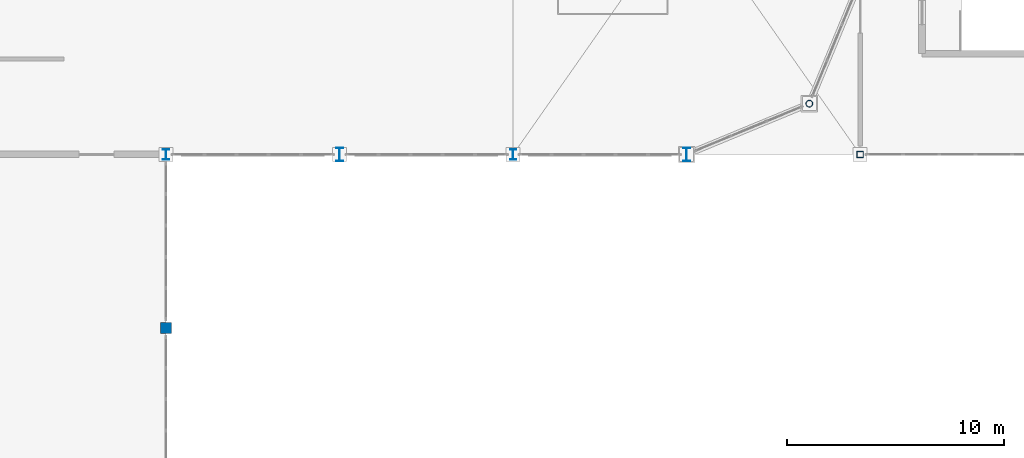
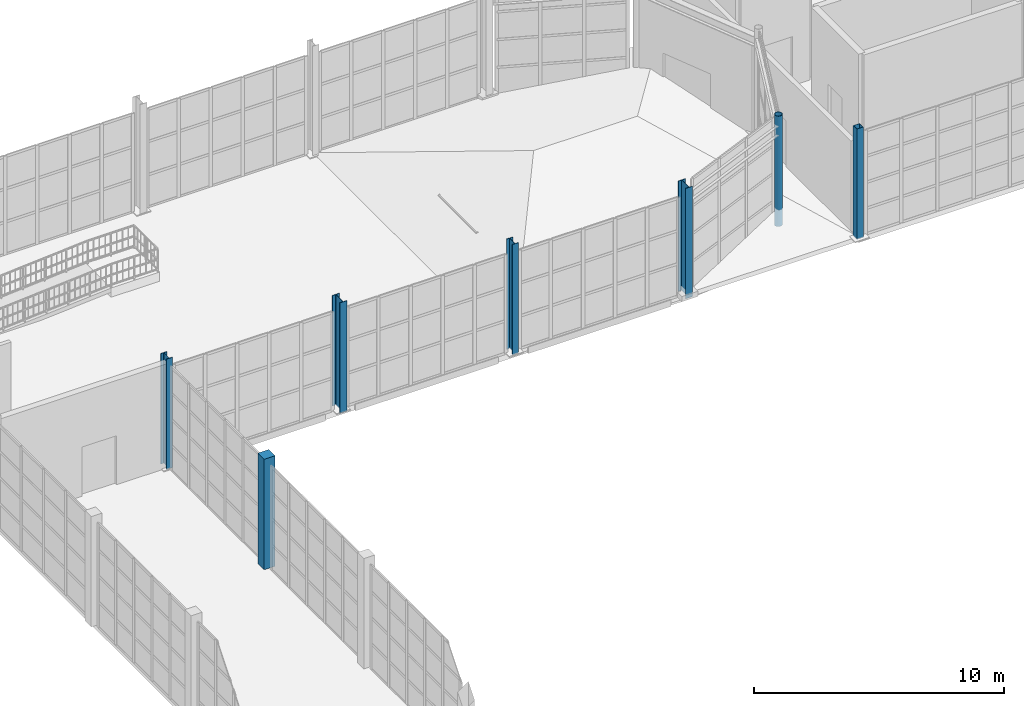
# One storey, part 10 of 82: 7 columns.
"""IFC4 building model written with IfcOpenShell, lengths in metres."""

from ifc_helpers import new_model, si_unit, direction, frame, origin, origin_2d, place, context, subcontext, project, spatial, rectangle, hollow_rectangle, hollow_circle, i_section, extrude, material, material_profile, profile_set, type_object, element, save


model = new_model("IFC4")

# Units and contexts
model_context = context("Model", 3, precision=1e-05, world=origin(), true_north=direction((0.0, 1.0)))
body_context = subcontext(model_context, "Body", "Model", "MODEL_VIEW")
ifc_project = project(units=[si_unit("LENGTHUNIT", "METRE"), si_unit("AREAUNIT", "SQUARE_METRE"), si_unit("VOLUMEUNIT", "CUBIC_METRE"), si_unit("PLANEANGLEUNIT", "RADIAN"), si_unit("MASSUNIT", "GRAM", prefix="KILO")], contexts=[model_context])

# Site, building, storey
site_placement = place(None, origin())
site = spatial("IfcSite", under=ifc_project, at=site_placement, CompositionType="ELEMENT")
building_placement = place(site_placement, origin())
building = spatial("IfcBuilding", under=site, at=building_placement, Name="Serraluz Foothill Cableway Terminal", CompositionType="ELEMENT")
storey_placement = place(building_placement, frame((0.0, 0.0, 9.60009765625)))
storey = spatial("IfcBuildingStorey", under=building, at=storey_placement, Name="L02", CompositionType="ELEMENT", Elevation=9.60009765625)

# Columns
ifc_material_1 = material(Name="Steel ASTM A572 Grade 50", Category="steel")
ifc_material_profile_1 = material_profile(ifc_material_1, hollow_circle(Radius=0.161865234375, WallThickness=0.01611328125, at=origin_2d()), Name="CHS324X16")
ifc_profile_set_1 = profile_set([ifc_material_profile_1], Name="Steel ASTM A572 Grade 50")
column_type_1 = type_object("IfcColumnType", Name="TYP-COL-CHS324", PredefinedType="COLUMN", material=ifc_profile_set_1)
column_1_placement = place(storey_placement, frame((157.656982421875, 58.343017578125, 0.0), z_axis=(0.0, 0.0, 1.0), x_axis=(1.0, 0.0, 0.0)))
element("IfcColumn", 1, at=column_1_placement, inside=storey, type_object=column_type_1, Name="Column COL-V1-ARC-E1-L02", PredefinedType="COLUMN", context=body_context, shape_type="SweptSolid", body=[
    extrude(hollow_circle(Radius=0.161865234375, WallThickness=0.01611328125, at=origin_2d()), origin(), (0.0, 0.0, 1.0), 5.39990234375),
])
ifc_material_profile_2 = material_profile(ifc_material_1, hollow_rectangle(XDim=0.300048828125, YDim=0.300048828125, WallThickness=0.01611328125, at=origin_2d()), Name="HSS300X300X16")
ifc_profile_set_2 = profile_set([ifc_material_profile_2], Name="Steel ASTM A572 Grade 50")
column_type_2 = type_object("IfcColumnType", Name="TYP-COL-HSS300", PredefinedType="COLUMN", material=ifc_profile_set_2)
column_2_placement = place(storey_placement, frame((160.0, 56.0, 0.0), z_axis=(0.0, 0.0, 1.0), x_axis=(1.0, 0.0, 0.0)))
element("IfcColumn", 2, at=column_2_placement, inside=storey, type_object=column_type_2, Name="Column COL-V2-160-56-L02", PredefinedType="COLUMN", context=body_context, shape_type="SweptSolid", body=[
    extrude(hollow_rectangle(XDim=0.300048828125, YDim=0.300048828125, WallThickness=0.01611328125, at=origin_2d()), origin(), (0.0, 0.0, 1.0), 5.39990234375),
])
ifc_material_2 = material(Name="Concrete C35/45 (f'c 35 MPa)", Category="concrete")
ifc_material_profile_3 = material_profile(ifc_material_2, rectangle(XDim=0.5, YDim=0.5, at=origin_2d()), Name="RC 500x500")
ifc_profile_set_3 = profile_set([ifc_material_profile_3], Name="Concrete C35/45 (f'c 35 MPa)")
column_type_3 = type_object("IfcColumnType", Name="TYP-COL-RC500", PredefinedType="COLUMN", material=ifc_profile_set_3)
column_3_placement = place(storey_placement, frame((128.0, 48.0, 0.0), z_axis=(0.0, 0.0, 1.0), x_axis=(1.0, 0.0, 0.0)))
element("IfcColumn", 3, at=column_3_placement, inside=storey, type_object=column_type_3, Name="Column COL-V3-CL-128-48-L02", PredefinedType="COLUMN", context=body_context, shape_type="SweptSolid", body=[
    extrude(rectangle(XDim=0.5, YDim=0.5, at=origin_2d()), origin(), (0.0, 0.0, 1.0), 5.39990234375),
])
ifc_material_3 = material(Name="Steel ASTM A992 Grade 50", Category="steel")
ifc_material_profile_4 = material_profile(ifc_material_3, i_section(OverallWidth=0.282958984375, OverallDepth=0.471923828125, WebThickness=0.013671875, FlangeThickness=0.022216796875, FilletRadius=0.014892578125, at=origin_2d()), Name="W18X97")
ifc_profile_set_4 = profile_set([ifc_material_profile_4], Name="Steel ASTM A992 Grade 50")
column_type_4 = type_object("IfcColumnType", Name="TYP-COL-W18X97", PredefinedType="COLUMN", material=ifc_profile_set_4)
for number, where, z_axis, x_axis, name in (
    (4, (128.0, 56.0, 0.0), (0.0, 0.0, 1.0), (1.0, 0.0, 0.0), "Column COL-V1-S-128-L02"),
    (5, (144.0, 56.0, 0.0), (0.0, 0.0, 1.0), (1.0, 0.0, 0.0), "Column COL-V1-S-144-L02"),
):
    element("IfcColumn", number, at=place(storey_placement, frame(where, z_axis=z_axis, x_axis=x_axis)), inside=storey, type_object=column_type_4, Name=name, PredefinedType="COLUMN", context=body_context, shape_type="SweptSolid", body=[
        extrude(i_section(OverallWidth=0.282958984375, OverallDepth=0.471923828125, WebThickness=0.013671875, FlangeThickness=0.022216796875, FilletRadius=0.014892578125, at=origin_2d()), origin(), (0.0, 0.0, 1.0), 5.39990234375),
    ])
ifc_material_profile_5 = material_profile(ifc_material_3, i_section(OverallWidth=0.324951171875, OverallDepth=0.615966796875, WebThickness=0.013916015625, FlangeThickness=0.021484375, FilletRadius=0.01806640625, at=origin_2d()), Name="W24X117")
ifc_profile_set_5 = profile_set([ifc_material_profile_5], Name="Steel ASTM A992 Grade 50")
column_type_5 = type_object("IfcColumnType", Name="TYP-COL-W24X117", PredefinedType="COLUMN", material=ifc_profile_set_5)
for number, where, z_axis, x_axis, name in (
    (6, (136.0, 56.0, 0.0), (0.0, 0.0, 1.0), (1.0, 0.0, 0.0), "Column COL-V1-S-136-L02"),
    (7, (152.0, 56.0, 0.0), (0.0, 0.0, 1.0), (1.0, 0.0, 0.0), "Column COL-V1-S-152-L02"),
):
    element("IfcColumn", number, at=place(storey_placement, frame(where, z_axis=z_axis, x_axis=x_axis)), inside=storey, type_object=column_type_5, Name=name, PredefinedType="COLUMN", context=body_context, shape_type="SweptSolid", body=[
        extrude(i_section(OverallWidth=0.324951171875, OverallDepth=0.615966796875, WebThickness=0.013916015625, FlangeThickness=0.021484375, FilletRadius=0.01806640625, at=origin_2d()), origin(), (0.0, 0.0, 1.0), 5.39990234375),
    ])

save(model, "model.ifc")
